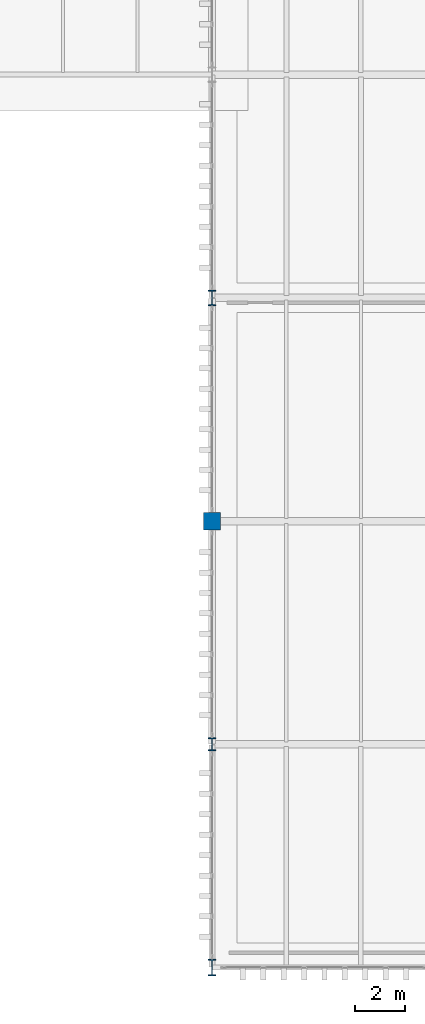
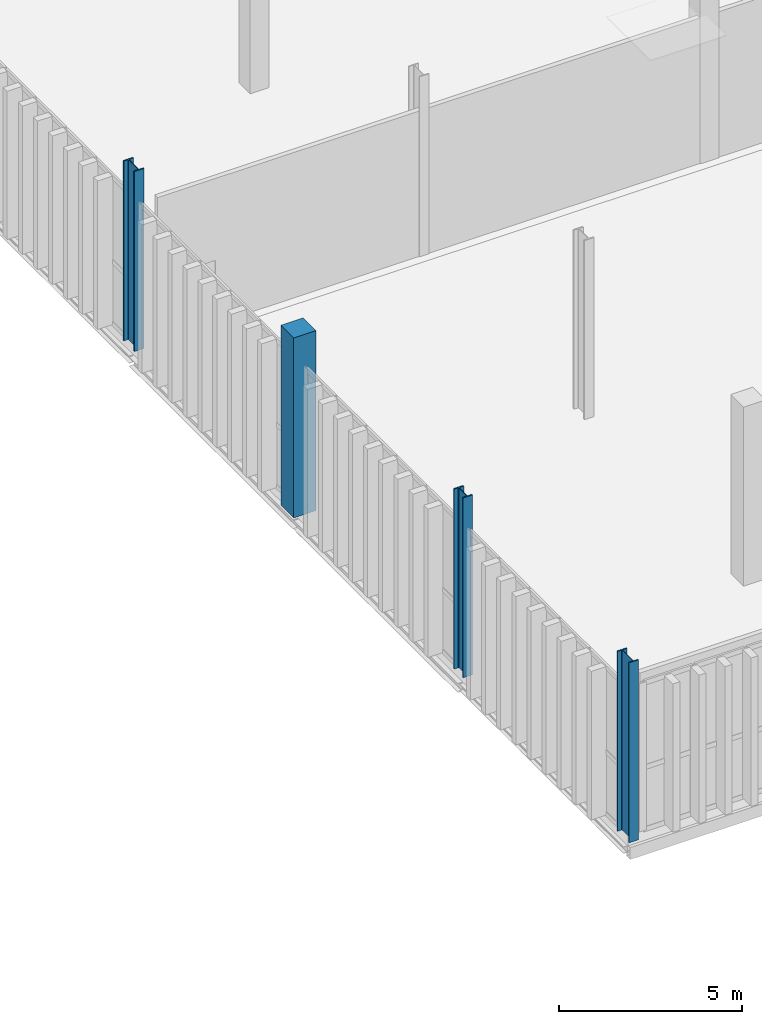
# One storey, part 5 of 211: 4 columns.
"""IFC4 building model written with IfcOpenShell, lengths in metres."""

from ifc_helpers import new_model, si_unit, direction, frame, origin, origin_2d, place, context, subcontext, project, spatial, rectangle, i_section, extrude, material, material_profile, profile_set, type_object, element, save


model = new_model("IFC4")

# Units and contexts
model_context = context("Model", 3, precision=1e-05, world=origin(), true_north=direction((0.0, 1.0)))
body_context = subcontext(model_context, "Body", "Model", "MODEL_VIEW")
ifc_project = project(units=[si_unit("LENGTHUNIT", "METRE"), si_unit("AREAUNIT", "SQUARE_METRE"), si_unit("VOLUMEUNIT", "CUBIC_METRE"), si_unit("PLANEANGLEUNIT", "RADIAN"), si_unit("MASSUNIT", "GRAM", prefix="KILO")], contexts=[model_context])

# Site, building, storey
site_placement = place(None, origin())
site = spatial("IfcSite", under=ifc_project, at=site_placement, CompositionType="ELEMENT")
building_placement = place(site_placement, origin())
building = spatial("IfcBuilding", under=site, at=building_placement, Name="Barlavento Convention Centre", CompositionType="ELEMENT")
storey_placement = place(building_placement, frame((0.0, 0.0, 6.0)))
storey = spatial("IfcBuildingStorey", under=building, at=storey_placement, Name="L01", CompositionType="ELEMENT", Elevation=6.0)

# Columns
ifc_material_1 = material(Name="Steel S355", Category="steel")
ifc_material_profile_1 = material_profile(ifc_material_1, i_section(OverallWidth=0.305908203125, OverallDepth=0.52392578125, WebThickness=0.02099609375, FlangeThickness=0.0400390625, FilletRadius=0.027099609375, at=origin_2d()), Name="HEM 500")
ifc_profile_set_1 = profile_set([ifc_material_profile_1], Name="Steel S355")
column_type_1 = type_object("IfcColumnType", Name="STR-COL-HEM500", PredefinedType="COLUMN", material=ifc_profile_set_1)
column_1_placement = place(storey_placement, frame((126.0, 9.0, 0.0), z_axis=(0.0, 0.0, 1.0), x_axis=(1.0, 0.0, 0.0)))
element("IfcColumn", 1, at=column_1_placement, inside=storey, type_object=column_type_1, Name="L01 column SC07", PredefinedType="COLUMN", context=body_context, shape_type="SweptSolid", body=[
    extrude(i_section(OverallWidth=0.305908203125, OverallDepth=0.52392578125, WebThickness=0.02099609375, FlangeThickness=0.0400390625, FilletRadius=0.027099609375, at=origin_2d()), origin(), (0.0, 0.0, 1.0), 6.0),
])
ifc_material_profile_2 = material_profile(ifc_material_1, i_section(OverallWidth=0.304931640625, OverallDepth=0.6201171875, WebThickness=0.02099609375, FlangeThickness=0.0400390625, FilletRadius=0.027099609375, at=origin_2d()), Name="HEM 600")
ifc_profile_set_2 = profile_set([ifc_material_profile_2], Name="Steel S355")
column_type_2 = type_object("IfcColumnType", Name="STR-COL-HEM600", PredefinedType="COLUMN", material=ifc_profile_set_2)
column_2_placement = place(storey_placement, frame((126.0, 27.0, 0.0), z_axis=(0.0, 0.0, 1.0), x_axis=(1.0, 0.0, 0.0)))
element("IfcColumn", 2, at=column_2_placement, inside=storey, type_object=column_type_2, Name="L01 column SC05", PredefinedType="COLUMN", context=body_context, shape_type="SweptSolid", body=[
    extrude(i_section(OverallWidth=0.304931640625, OverallDepth=0.6201171875, WebThickness=0.02099609375, FlangeThickness=0.0400390625, FilletRadius=0.027099609375, at=origin_2d()), origin(), (0.0, 0.0, 1.0), 6.0),
])
ifc_material_2 = material(Name="Steel S460", Category="steel")
ifc_material_profile_3 = material_profile(ifc_material_2, i_section(OverallWidth=0.304931640625, OverallDepth=0.66796875, WebThickness=0.02099609375, FlangeThickness=0.0400390625, FilletRadius=0.027099609375, at=origin_2d()), Name="HEM 650")
ifc_profile_set_3 = profile_set([ifc_material_profile_3], Name="Steel S460")
column_type_3 = type_object("IfcColumnType", Name="STR-COL-HEM650", PredefinedType="COLUMN", material=ifc_profile_set_3)
column_3_placement = place(storey_placement, frame((126.0, 0.0, 0.0), z_axis=(0.0, 0.0, 1.0), x_axis=(1.0, 0.0, 0.0)))
element("IfcColumn", 3, at=column_3_placement, inside=storey, type_object=column_type_3, Name="L01 column SC04", PredefinedType="COLUMN", context=body_context, shape_type="SweptSolid", body=[
    extrude(i_section(OverallWidth=0.304931640625, OverallDepth=0.66796875, WebThickness=0.02099609375, FlangeThickness=0.0400390625, FilletRadius=0.027099609375, at=origin_2d()), origin(), (0.0, 0.0, 1.0), 6.0),
])
ifc_material_3 = material(Name="Concrete C40/50", Category="concrete")
ifc_material_profile_4 = material_profile(ifc_material_3, rectangle(XDim=0.699951171875, YDim=0.699951171875, at=origin_2d()), Name="RC 700x700")
ifc_profile_set_4 = profile_set([ifc_material_profile_4], Name="Concrete C40/50")
column_type_4 = type_object("IfcColumnType", Name="STR-COL-RC700", PredefinedType="COLUMN", material=ifc_profile_set_4)
column_4_placement = place(storey_placement, frame((126.0, 18.0, 0.0), z_axis=(0.0, 0.0, 1.0), x_axis=(1.0, 0.0, 0.0)))
element("IfcColumn", 4, at=column_4_placement, inside=storey, type_object=column_type_4, Name="L01 column CC06", PredefinedType="COLUMN", context=body_context, shape_type="SweptSolid", body=[
    extrude(rectangle(XDim=0.699951171875, YDim=0.699951171875, at=origin_2d()), origin(), (0.0, 0.0, 1.0), 6.0),
])

save(model, "model.ifc")
